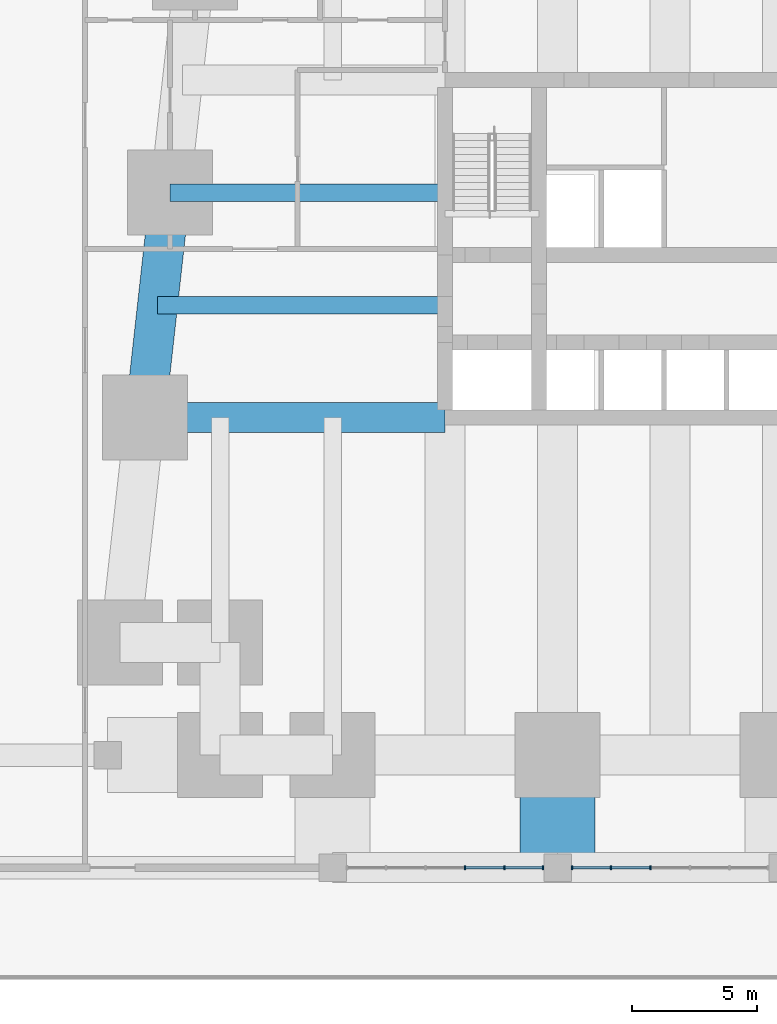
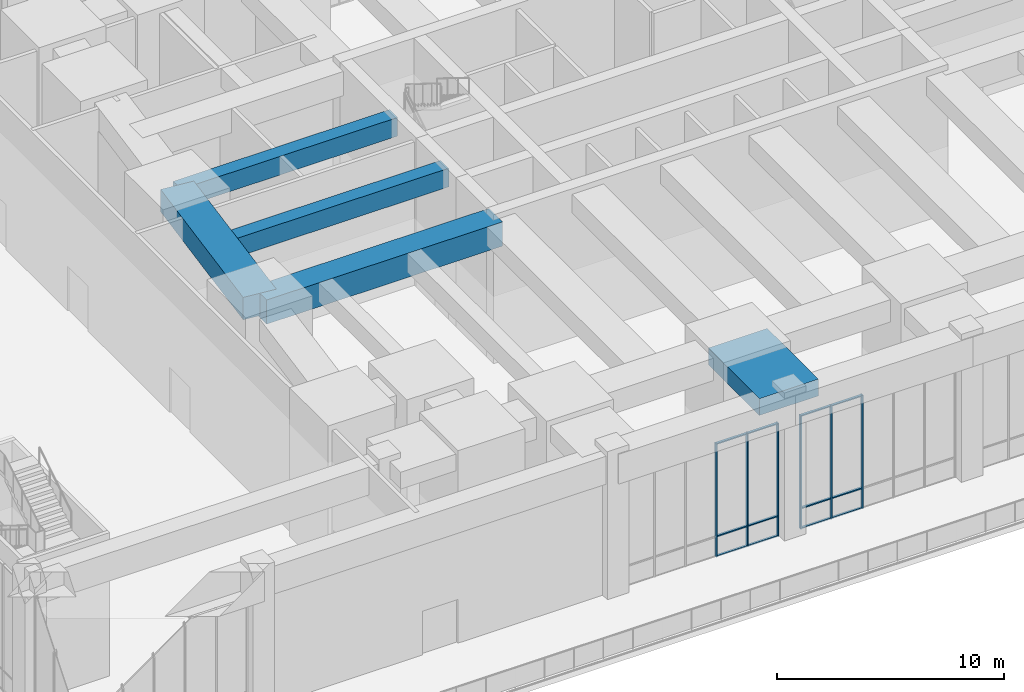
# One storey, part 5 of 26: 18 members, 5 beams, 2 elements without a shape of their own.
"""IFC4 building model written with IfcOpenShell, lengths in metres."""

from ifc_helpers import new_model, si_unit, direction, frame, origin, origin_2d, place, context, subcontext, project, spatial, rectangle, extrude, material, material_profile, profile_set, type_object, element, aggregate, save


model = new_model("IFC4")

# Units and contexts
model_context = context("Model", 3, precision=1e-05, world=origin(), true_north=direction((0.0, 1.0)))
body_context = subcontext(model_context, "Body", "Model", "MODEL_VIEW")
ifc_project = project(units=[si_unit("LENGTHUNIT", "METRE"), si_unit("AREAUNIT", "SQUARE_METRE"), si_unit("VOLUMEUNIT", "CUBIC_METRE"), si_unit("PLANEANGLEUNIT", "RADIAN"), si_unit("MASSUNIT", "GRAM", prefix="KILO")], contexts=[model_context])

# Site, building, storey
site_placement = place(None, origin())
site = spatial("IfcSite", under=ifc_project, at=site_placement, CompositionType="ELEMENT")
building_placement = place(site_placement, origin())
building = spatial("IfcBuilding", under=site, at=building_placement, Name="Kilele Tower Hotel", CompositionType="ELEMENT")
storey_placement = place(building_placement, frame((0.0, 0.0, 11.0)))
storey = spatial("IfcBuildingStorey", under=building, at=storey_placement, Name="L02", CompositionType="ELEMENT", Elevation=11.0)

# Beams
ifc_material_1 = material(Name="Concrete C60/75", Category="concrete")
ifc_material_profile_1 = material_profile(ifc_material_1, rectangle(XDim=3.0, YDim=0.89990234375, at=origin_2d()))
ifc_profile_set_1 = profile_set([ifc_material_profile_1], Name="Concrete C60/75")
beam_type_1 = type_object("IfcBeamType", Name="Beam RC 3000x900 C60/75", PredefinedType="BEAM", material=ifc_profile_set_1)
beam_1_placement = place(storey_placement, frame((18.0, -4.5, 7.25), z_axis=(0.0, 1.0, 0.0), x_axis=(-1.0, 0.0, 0.0)))
element("IfcBeam", 1, at=beam_1_placement, inside=storey, type_object=beam_type_1, Name="Beam PB1 level L03", PredefinedType="BEAM", context=body_context, shape_type="SweptSolid", body=[
    extrude(rectangle(XDim=3.0, YDim=0.89990234375, at=origin_2d()), origin(), (0.0, 0.0, 1.0), 4.5),
])
ifc_material_2 = material(Name="Concrete C60/75", Category="concrete")
ifc_material_profile_2 = material_profile(ifc_material_2, rectangle(XDim=0.699951171875, YDim=1.0, at=origin_2d()))
ifc_profile_set_2 = profile_set([ifc_material_profile_2], Name="Concrete C60/75")
beam_type_2 = type_object("IfcBeamType", Name="Beam RC 700x1000 C60/75 mid span", PredefinedType="BEAM", material=ifc_profile_set_2)
beam_2_placement = place(storey_placement, frame((2.5, 22.5, 7.199951171875), z_axis=(1.0, 0.0, 0.0), x_axis=(0.0, 1.0, 0.0)))
element("IfcBeam", 2, at=beam_2_placement, inside=storey, type_object=beam_type_2, Name="Beam B5 level L03", PredefinedType="BEAM", context=body_context, shape_type="SweptSolid", body=[
    extrude(rectangle(XDim=0.699951171875, YDim=1.0, at=origin_2d()), origin(), (0.0, 0.0, 1.0), 11.0),
])
beam_3_placement = place(storey_placement, frame((2.0, 18.0, 7.199951171875), z_axis=(1.0, 0.0, 0.0), x_axis=(0.0, 1.0, 0.0)))
element("IfcBeam", 3, at=beam_3_placement, inside=storey, type_object=beam_type_2, Name="Beam B5 level L03", PredefinedType="BEAM", context=body_context, shape_type="SweptSolid", body=[
    extrude(rectangle(XDim=0.699951171875, YDim=1.0, at=origin_2d()), origin(), (0.0, 0.0, 1.0), 11.5),
])
ifc_material_3 = material(Name="Concrete C60/75", Category="concrete")
ifc_material_profile_3 = material_profile(ifc_material_3, rectangle(XDim=1.199951171875, YDim=1.300048828125, at=origin_2d()))
ifc_profile_set_3 = profile_set([ifc_material_profile_3], Name="Concrete C60/75")
beam_type_3 = type_object("IfcBeamType", Name="Girder RC 1200x1300 C60/75", PredefinedType="BEAM", material=ifc_profile_set_3)
beam_4_placement = place(storey_placement, frame((1.5, 13.5, 7.050048828125), z_axis=(1.0, 0.0, 0.0), x_axis=(0.0, 1.0, 0.0)))
element("IfcBeam", 4, at=beam_4_placement, inside=storey, type_object=beam_type_3, Name="Girder G1 level L03", PredefinedType="BEAM", context=body_context, shape_type="SweptSolid", body=[
    extrude(rectangle(XDim=1.199951171875, YDim=1.300048828125, at=origin_2d()), origin(), (0.0, 0.0, 1.0), 12.0),
])

# Curtain wall, members
ifc_material_4 = material(Name="Aluminium curtain wall, clear double glazing", Category="aluminium")
curtain_wall_type = type_object("IfcCurtainWallType", Name="Podium curtain wall CW-1", PredefinedType="NOTDEFINED", material=ifc_material_4)
curtain_wall_1_placement = place(storey_placement, origin())
curtain_wall_1 = element("IfcCurtainWall", 5, at=curtain_wall_1_placement, inside=storey, type_object=curtain_wall_type, Name="Podium curtain wall CW-1 L02", PredefinedType="NOTDEFINED")
ifc_material_5 = material(Name="Aluminium EN AW-6063 T6", Category="aluminium")
ifc_material_profile_4 = material_profile(ifc_material_5, rectangle(XDim=0.159912109375, YDim=0.06005859375, at=origin_2d()))
ifc_profile_set_4 = profile_set([ifc_material_profile_4], Name="Aluminium EN AW-6063 T6")
member_type_1 = type_object("IfcMemberType", Name="Mullion 60x160 CW-1", PredefinedType="MULLION", material=ifc_profile_set_4)
member_1_placement = place(storey_placement, frame((14.2900390625, -4.5, 0.0), z_axis=(0.0, 0.0, 1.0), x_axis=(0.0, 1.0, 0.0)))
member_1 = element("IfcMember", 6, at=member_1_placement, type_object=member_type_1, Name="CW-1 mullion 4", PredefinedType="MULLION", context=body_context, shape_type="SweptSolid", body=[
    extrude(rectangle(XDim=0.159912109375, YDim=0.06005859375, at=origin_2d()), origin(), (0.0, 0.0, 1.0), 6.10009765625),
])
member_2_placement = place(storey_placement, frame((15.8701171875, -4.5, 0.0), z_axis=(0.0, 0.0, 1.0), x_axis=(0.0, 1.0, 0.0)))
member_2 = element("IfcMember", 7, at=member_2_placement, type_object=member_type_1, Name="CW-1 mullion 5", PredefinedType="MULLION", context=body_context, shape_type="SweptSolid", body=[
    extrude(rectangle(XDim=0.159912109375, YDim=0.06005859375, at=origin_2d()), origin(), (0.0, 0.0, 1.0), 6.10009765625),
])
member_3_placement = place(storey_placement, frame((17.419921875, -4.5, 0.0), z_axis=(0.0, 0.0, 1.0), x_axis=(0.0, 1.0, 0.0)))
member_3 = element("IfcMember", 8, at=member_3_placement, type_object=member_type_1, Name="CW-1 mullion 6", PredefinedType="MULLION", context=body_context, shape_type="SweptSolid", body=[
    extrude(rectangle(XDim=0.159912109375, YDim=0.06005859375, at=origin_2d()), origin(), (0.0, 0.0, 1.0), 6.10009765625),
])

curtain_wall_2_placement = place(storey_placement, origin())
curtain_wall_2 = element("IfcCurtainWall", 9, at=curtain_wall_2_placement, inside=storey, type_object=curtain_wall_type, Name="Podium curtain wall CW-1 L02", PredefinedType="NOTDEFINED")
member_4_placement = place(storey_placement, frame((18.580078125, -4.5, 0.0), z_axis=(0.0, 0.0, 1.0), x_axis=(0.0, 1.0, 0.0)))
member_4 = element("IfcMember", 10, at=member_4_placement, type_object=member_type_1, Name="CW-1 mullion 1", PredefinedType="MULLION", context=body_context, shape_type="SweptSolid", body=[
    extrude(rectangle(XDim=0.159912109375, YDim=0.06005859375, at=origin_2d()), origin(), (0.0, 0.0, 1.0), 6.10009765625),
])
member_5_placement = place(storey_placement, frame((20.1298828125, -4.5, 0.0), z_axis=(0.0, 0.0, 1.0), x_axis=(0.0, 1.0, 0.0)))
member_5 = element("IfcMember", 11, at=member_5_placement, type_object=member_type_1, Name="CW-1 mullion 2", PredefinedType="MULLION", context=body_context, shape_type="SweptSolid", body=[
    extrude(rectangle(XDim=0.159912109375, YDim=0.06005859375, at=origin_2d()), origin(), (0.0, 0.0, 1.0), 6.10009765625),
])
member_6_placement = place(storey_placement, frame((21.7099609375, -4.5, 0.0), z_axis=(0.0, 0.0, 1.0), x_axis=(0.0, 1.0, 0.0)))
member_6 = element("IfcMember", 12, at=member_6_placement, type_object=member_type_1, Name="CW-1 mullion 3", PredefinedType="MULLION", context=body_context, shape_type="SweptSolid", body=[
    extrude(rectangle(XDim=0.159912109375, YDim=0.06005859375, at=origin_2d()), origin(), (0.0, 0.0, 1.0), 6.10009765625),
])

# Beam
ifc_material_6 = material(Name="Concrete C60/75", Category="concrete")
ifc_material_profile_5 = material_profile(ifc_material_6, rectangle(XDim=1.60009765625, YDim=1.199951171875, at=origin_2d()))
ifc_profile_set_5 = profile_set([ifc_material_profile_5], Name="Concrete C60/75")
beam_type_4 = type_object("IfcBeamType", Name="Spandrel RC 1600x1200 C60/75", PredefinedType="SPANDREL", material=ifc_profile_set_5)
beam_5_placement = place(storey_placement, frame((2.5, 22.5, 7.10009765625), z_axis=(-0.110431526075, -0.993883734674, 0.0), x_axis=(0.993883734674, -0.110431526075, 0.0)))
element("IfcBeam", 13, at=beam_5_placement, inside=storey, type_object=beam_type_4, Name="Spandrel SP11 level L03", PredefinedType="SPANDREL", context=body_context, shape_type="SweptSolid", body=[
    extrude(rectangle(XDim=1.60009765625, YDim=1.199951171875, at=origin_2d()), origin(), (0.0, 0.0, 1.0), 9.055419921875),
])

# Member
ifc_material_7 = material(Name="Aluminium EN AW-6063 T6", Category="aluminium")
ifc_material_profile_6 = material_profile(ifc_material_7, rectangle(XDim=0.1201171875, YDim=0.06005859375, at=origin_2d()))
ifc_profile_set_6 = profile_set([ifc_material_profile_6], Name="Aluminium EN AW-6063 T6")
member_type_2 = type_object("IfcMemberType", Name="Transom 60x120 CW-1", PredefinedType="USERDEFINED", material=ifc_profile_set_6)
member_7_placement = place(storey_placement, frame((14.320068359375, -4.5, 0.030029296875), z_axis=(1.0, 0.0, 0.0), x_axis=(0.0, 1.0, 0.0)))
member_7 = element("IfcMember", 14, at=member_7_placement, type_object=member_type_2, Name="CW-1 transom 4.1", ObjectType="TRANSOM", PredefinedType="USERDEFINED", context=body_context, shape_type="SweptSolid", body=[
    extrude(rectangle(XDim=0.1201171875, YDim=0.06005859375, at=origin_2d()), origin(), (0.0, 0.0, 1.0), 1.52001953125),
])

member_8_placement = place(storey_placement, frame((14.320068359375, -4.5, 1.10009765625), z_axis=(1.0, 0.0, 0.0), x_axis=(0.0, 1.0, 0.0)))
member_8 = element("IfcMember", 15, at=member_8_placement, type_object=member_type_2, Name="CW-1 transom 4.2", ObjectType="TRANSOM", PredefinedType="USERDEFINED", context=body_context, shape_type="SweptSolid", body=[
    extrude(rectangle(XDim=0.1201171875, YDim=0.06005859375, at=origin_2d()), origin(), (0.0, 0.0, 1.0), 1.52001953125),
])

member_9_placement = place(storey_placement, frame((14.320068359375, -4.5, 6.070068359375), z_axis=(1.0, 0.0, 0.0), x_axis=(0.0, 1.0, 0.0)))
member_9 = element("IfcMember", 16, at=member_9_placement, type_object=member_type_2, Name="CW-1 transom 4.3", ObjectType="TRANSOM", PredefinedType="USERDEFINED", context=body_context, shape_type="SweptSolid", body=[
    extrude(rectangle(XDim=0.1201171875, YDim=0.06005859375, at=origin_2d()), origin(), (0.0, 0.0, 1.0), 1.52001953125),
])

member_10_placement = place(storey_placement, frame((15.89990234375, -4.5, 0.030029296875), z_axis=(1.0, 0.0, 0.0), x_axis=(0.0, 1.0, 0.0)))
member_10 = element("IfcMember", 17, at=member_10_placement, type_object=member_type_2, Name="CW-1 transom 5.1", ObjectType="TRANSOM", PredefinedType="USERDEFINED", context=body_context, shape_type="SweptSolid", body=[
    extrude(rectangle(XDim=0.1201171875, YDim=0.06005859375, at=origin_2d()), origin(), (0.0, 0.0, 1.0), 1.489990234375),
])

member_11_placement = place(storey_placement, frame((15.89990234375, -4.5, 1.10009765625), z_axis=(1.0, 0.0, 0.0), x_axis=(0.0, 1.0, 0.0)))
member_11 = element("IfcMember", 18, at=member_11_placement, type_object=member_type_2, Name="CW-1 transom 5.2", ObjectType="TRANSOM", PredefinedType="USERDEFINED", context=body_context, shape_type="SweptSolid", body=[
    extrude(rectangle(XDim=0.1201171875, YDim=0.06005859375, at=origin_2d()), origin(), (0.0, 0.0, 1.0), 1.489990234375),
])

member_12_placement = place(storey_placement, frame((15.89990234375, -4.5, 6.070068359375), z_axis=(1.0, 0.0, 0.0), x_axis=(0.0, 1.0, 0.0)))
member_12 = element("IfcMember", 19, at=member_12_placement, type_object=member_type_2, Name="CW-1 transom 5.3", ObjectType="TRANSOM", PredefinedType="USERDEFINED", context=body_context, shape_type="SweptSolid", body=[
    extrude(rectangle(XDim=0.1201171875, YDim=0.06005859375, at=origin_2d()), origin(), (0.0, 0.0, 1.0), 1.489990234375),
])

aggregate(curtain_wall_1, [member_1, member_2, member_3, member_7, member_8, member_9, member_10, member_11, member_12])

member_13_placement = place(storey_placement, frame((18.610107421875, -4.5, 0.030029296875), z_axis=(1.0, 0.0, 0.0), x_axis=(0.0, 1.0, 0.0)))
member_13 = element("IfcMember", 20, at=member_13_placement, type_object=member_type_2, Name="CW-1 transom 1.1", ObjectType="TRANSOM", PredefinedType="USERDEFINED", context=body_context, shape_type="SweptSolid", body=[
    extrude(rectangle(XDim=0.1201171875, YDim=0.06005859375, at=origin_2d()), origin(), (0.0, 0.0, 1.0), 1.489990234375),
])

member_14_placement = place(storey_placement, frame((18.610107421875, -4.5, 1.10009765625), z_axis=(1.0, 0.0, 0.0), x_axis=(0.0, 1.0, 0.0)))
member_14 = element("IfcMember", 21, at=member_14_placement, type_object=member_type_2, Name="CW-1 transom 1.2", ObjectType="TRANSOM", PredefinedType="USERDEFINED", context=body_context, shape_type="SweptSolid", body=[
    extrude(rectangle(XDim=0.1201171875, YDim=0.06005859375, at=origin_2d()), origin(), (0.0, 0.0, 1.0), 1.489990234375),
])

member_15_placement = place(storey_placement, frame((18.610107421875, -4.5, 6.070068359375), z_axis=(1.0, 0.0, 0.0), x_axis=(0.0, 1.0, 0.0)))
member_15 = element("IfcMember", 22, at=member_15_placement, type_object=member_type_2, Name="CW-1 transom 1.3", ObjectType="TRANSOM", PredefinedType="USERDEFINED", context=body_context, shape_type="SweptSolid", body=[
    extrude(rectangle(XDim=0.1201171875, YDim=0.06005859375, at=origin_2d()), origin(), (0.0, 0.0, 1.0), 1.489990234375),
])

member_16_placement = place(storey_placement, frame((20.159912109375, -4.5, 0.030029296875), z_axis=(1.0, 0.0, 0.0), x_axis=(0.0, 1.0, 0.0)))
member_16 = element("IfcMember", 23, at=member_16_placement, type_object=member_type_2, Name="CW-1 transom 2.1", ObjectType="TRANSOM", PredefinedType="USERDEFINED", context=body_context, shape_type="SweptSolid", body=[
    extrude(rectangle(XDim=0.1201171875, YDim=0.06005859375, at=origin_2d()), origin(), (0.0, 0.0, 1.0), 1.52001953125),
])

member_17_placement = place(storey_placement, frame((20.159912109375, -4.5, 1.10009765625), z_axis=(1.0, 0.0, 0.0), x_axis=(0.0, 1.0, 0.0)))
member_17 = element("IfcMember", 24, at=member_17_placement, type_object=member_type_2, Name="CW-1 transom 2.2", ObjectType="TRANSOM", PredefinedType="USERDEFINED", context=body_context, shape_type="SweptSolid", body=[
    extrude(rectangle(XDim=0.1201171875, YDim=0.06005859375, at=origin_2d()), origin(), (0.0, 0.0, 1.0), 1.52001953125),
])

member_18_placement = place(storey_placement, frame((20.159912109375, -4.5, 6.070068359375), z_axis=(1.0, 0.0, 0.0), x_axis=(0.0, 1.0, 0.0)))
member_18 = element("IfcMember", 25, at=member_18_placement, type_object=member_type_2, Name="CW-1 transom 2.3", ObjectType="TRANSOM", PredefinedType="USERDEFINED", context=body_context, shape_type="SweptSolid", body=[
    extrude(rectangle(XDim=0.1201171875, YDim=0.06005859375, at=origin_2d()), origin(), (0.0, 0.0, 1.0), 1.52001953125),
])

aggregate(curtain_wall_2, [member_4, member_5, member_6, member_13, member_14, member_15, member_16, member_17, member_18])

save(model, "model.ifc")
